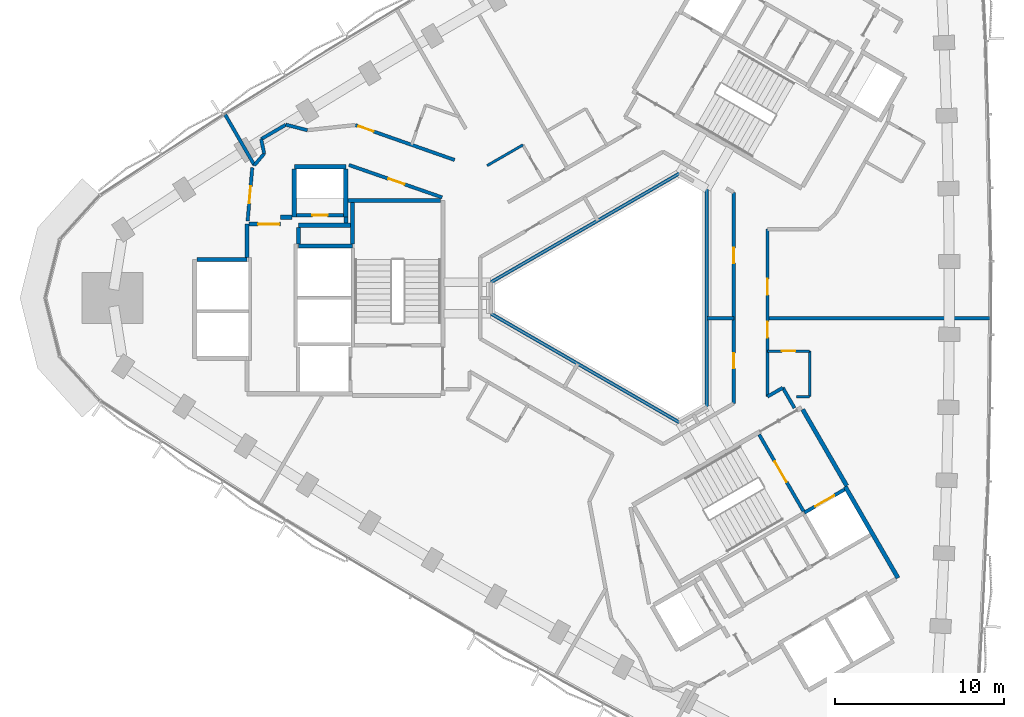
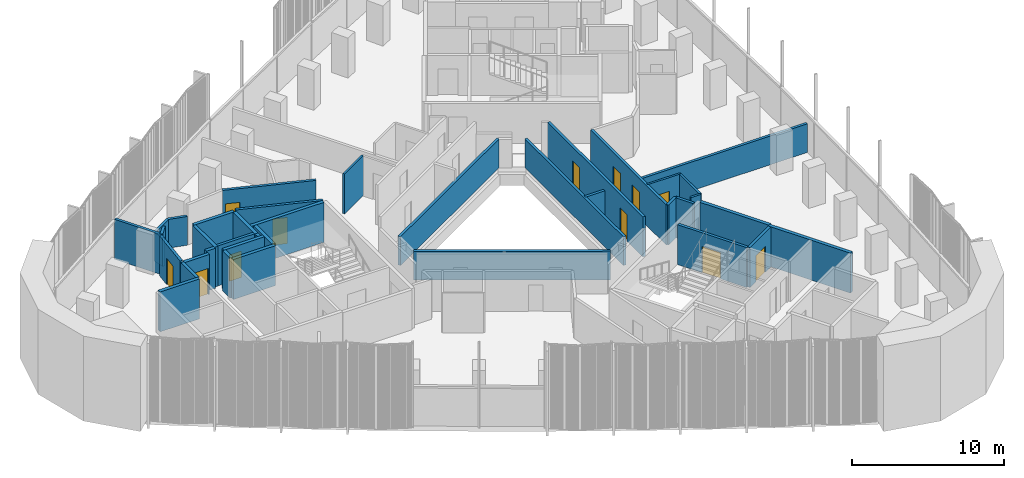
# One storey, part 9 of 14: 39 walls, 12 doors, 12 openings.
"""IFC4 building model written with IfcOpenShell, lengths in metres."""

from ifc_helpers import new_model, si_unit, direction, frame, frame_2d, origin, place, context, subcontext, project, spatial, rectangle, extrude, material, layer, layer_set, type_object, element, fill, save


model = new_model("IFC4")

# Units and contexts
model_context = context("Model", 3, precision=1e-05, world=origin(), true_north=direction((0.0, 1.0)))
body_context = subcontext(model_context, "Body", "Model", "MODEL_VIEW")
ifc_project = project(units=[si_unit("LENGTHUNIT", "METRE"), si_unit("AREAUNIT", "SQUARE_METRE"), si_unit("VOLUMEUNIT", "CUBIC_METRE"), si_unit("PLANEANGLEUNIT", "RADIAN"), si_unit("MASSUNIT", "GRAM", prefix="KILO")], contexts=[model_context])

# Site, building, storey
site_placement = place(None, origin())
site = spatial("IfcSite", under=ifc_project, at=site_placement, CompositionType="ELEMENT")
building_placement = place(site_placement, origin())
building = spatial("IfcBuilding", under=site, at=building_placement, Name="Tamra Quay Hotel Tower", CompositionType="ELEMENT")
storey_placement = place(building_placement, frame((0.0, 0.0, 150.39990234375)))
storey = spatial("IfcBuildingStorey", under=building, at=storey_placement, Name="L37", CompositionType="ELEMENT", Elevation=150.39990234375)

# Wall, opening, door
ifc_material_1 = material(Name="Concrete M70", Category="concrete")
ifc_layer_1 = layer(ifc_material_1, 0.199951171875)
ifc_layer_set_1 = layer_set([ifc_layer_1], Name="Concrete M70 core wall 200")
wall_type_1 = type_object("IfcWallType", Name="Concrete M70 core wall 200", PredefinedType="SHEAR", material=ifc_layer_set_1)
wall_1_placement = place(storey_placement, frame((-19.51123046875, 4.91015625, 0.0), z_axis=(0.0, 0.0, 1.0), x_axis=(1.0, 0.0, 0.0)))
wall_1 = element("IfcWall", 1, at=wall_1_placement, inside=storey, type_object=wall_type_1, Name="CW2", PredefinedType="SHEAR", context=body_context, shape_type="SweptSolid", body=[
    extrude(rectangle(XDim=2.7978515625, YDim=0.199951171875, at=frame_2d((1.39892578125, 0.0))), origin(), (0.0, 0.0, 1.0), 3.2001953125),
])
opening_1_placement = place(wall_1_placement, frame((0.948974609375, 0.0, 0.0)))
opening_1 = element("IfcOpeningElement", 2, at=opening_1_placement, cuts=wall_1, Name="Opening D1", PredefinedType="OPENING", context=body_context, shape_type="SweptSolid", body=[
    extrude(rectangle(XDim=0.89990234375, YDim=2.10009765625, at=frame_2d((0.449951171875, 1.050048828125))), frame((0.0, 0.10986328125, 0.0), z_axis=(0.0, -1.0, 0.0), x_axis=(1.0, 0.0, 0.0)), (0.0, 0.0, 1.0), 0.219970703125),
])
ifc_material_2 = material(Name="Core door D1 900x2100 RH")
door_type_1 = type_object("IfcDoorType", Name="Core door D1 900x2100 RH", OperationType="NOTDEFINED", PredefinedType="DOOR", material=ifc_material_2)
door_1_placement = place(opening_1_placement, origin())
door_1 = element("IfcDoor", 3, at=door_1_placement, inside=storey, type_object=door_type_1, Name="D1", OperationType="SINGLE_SWING_RIGHT", OverallHeight=2.10009765625, OverallWidth=0.89990234375, PredefinedType="DOOR", context=body_context, shape_type="SweptSolid", body=[
    extrude(rectangle(XDim=0.89990234375, YDim=2.10009765625, at=frame_2d((0.449951171875, 1.050048828125))), frame((0.0, 0.02490234375, 0.0), z_axis=(0.0, -1.0, 0.0), x_axis=(1.0, 0.0, 0.0)), (0.0, 0.0, 1.0), 0.050048828125),
])
fill(opening_1, door_1)

wall_2_placement = place(storey_placement, frame((7.906494140625, -8.094482421875, 0.0), z_axis=(0.0, 0.0, 1.0), x_axis=(0.500024287448, -0.866011380966, 0.0)))
wall_2 = element("IfcWall", 4, at=wall_2_placement, inside=storey, type_object=wall_type_1, Name="CW2", PredefinedType="SHEAR", context=body_context, shape_type="SweptSolid", body=[
    extrude(rectangle(XDim=5.251220703125, YDim=0.199951171875, at=frame_2d((2.62548828125, 0.0))), origin(), (0.0, 0.0, 1.0), 3.2001953125),
])
opening_2_placement = place(wall_2_placement, frame((1.84912109375, 0.0, 0.0)))
opening_2 = element("IfcOpeningElement", 5, at=opening_2_placement, cuts=wall_2, Name="Opening FD2", PredefinedType="OPENING", context=body_context, shape_type="SweptSolid", body=[
    extrude(rectangle(XDim=1.39990234375, YDim=2.10009765625, at=frame_2d((0.699951171875, 1.050048828125))), frame((0.0, 0.10986328125, 0.0), z_axis=(0.0, -1.0, 0.0), x_axis=(1.0, 0.0, 0.0)), (0.0, 0.0, 1.0), 0.219970703125),
])
ifc_material_3 = material(Name="Core door FD2 1400x2100 RH")
door_type_2 = type_object("IfcDoorType", Name="Core door FD2 1400x2100 RH", OperationType="NOTDEFINED", PredefinedType="DOOR", material=ifc_material_3)
door_2_placement = place(opening_2_placement, origin())
door_2 = element("IfcDoor", 6, at=door_2_placement, inside=storey, type_object=door_type_2, Name="FD2", OperationType="SINGLE_SWING_RIGHT", OverallHeight=2.10009765625, OverallWidth=1.39990234375, PredefinedType="DOOR", context=body_context, shape_type="SweptSolid", body=[
    extrude(rectangle(XDim=1.39990234375, YDim=2.10009765625, at=frame_2d((0.699951171875, 1.050048828125))), frame((0.0, 0.02490234375, 0.0), z_axis=(0.0, -1.0, 0.0), x_axis=(1.0, 0.0, 0.0)), (0.0, 0.0, 1.0), 0.050048828125),
])
fill(opening_2, door_2)

wall_3_placement = place(storey_placement, frame((10.587158203125, -12.72314453125, 0.0), z_axis=(0.0, 0.0, 1.0), x_axis=(0.866037306777, 0.499979382845, 0.0)))
wall_3 = element("IfcWall", 7, at=wall_3_placement, inside=storey, type_object=wall_type_1, Name="CW2", PredefinedType="SHEAR", context=body_context, shape_type="SweptSolid", body=[
    extrude(rectangle(XDim=2.74169921875, YDim=0.199951171875, at=frame_2d((1.370849609375, 0.0))), origin(), (0.0, 0.0, 1.0), 3.2001953125),
])
opening_3_placement = place(wall_3_placement, frame((0.742919921875, 0.0, 0.0)))
opening_3 = element("IfcOpeningElement", 8, at=opening_3_placement, cuts=wall_3, Name="Opening LD", PredefinedType="OPENING", context=body_context, shape_type="SweptSolid", body=[
    extrude(rectangle(XDim=1.300048828125, YDim=2.10009765625, at=frame_2d((0.64990234375, 1.050048828125))), frame((0.0, 0.10986328125, 0.0), z_axis=(0.0, -1.0, 0.0), x_axis=(1.0, 0.0, 0.0)), (0.0, 0.0, 1.0), 0.219970703125),
])
ifc_material_4 = material(Name="Landing door LD 1300 sliding to right")
door_type_3 = type_object("IfcDoorType", Name="Landing door LD 1300 sliding to right", OperationType="NOTDEFINED", PredefinedType="DOOR", material=ifc_material_4)
door_3_placement = place(opening_3_placement, origin())
door_3 = element("IfcDoor", 9, at=door_3_placement, inside=storey, type_object=door_type_3, Name="LD", OperationType="SLIDING_TO_RIGHT", OverallHeight=2.10009765625, OverallWidth=1.300048828125, PredefinedType="DOOR", context=body_context, shape_type="SweptSolid", body=[
    extrude(rectangle(XDim=1.300048828125, YDim=2.10009765625, at=frame_2d((0.64990234375, 1.050048828125))), frame((0.0, 0.02490234375, 0.0), z_axis=(0.0, -1.0, 0.0), x_axis=(1.0, 0.0, 0.0)), (0.0, 0.0, 1.0), 0.050048828125),
])
fill(opening_3, door_3)

# Walls
ifc_layer_2 = layer(ifc_material_1, 0.25)
ifc_layer_set_2 = layer_set([ifc_layer_2], Name="Concrete M70 core wall 250")
wall_type_2 = type_object("IfcWallType", Name="Concrete M70 core wall 250", PredefinedType="SHEAR", material=ifc_layer_set_2)
wall_4_placement = place(storey_placement, frame((-16.47216796875, 5.77490234375, 0.0), z_axis=(0.0, 0.0, 1.0), x_axis=(1.0, 0.0, 0.0)))
element("IfcWall", 10, at=wall_4_placement, inside=storey, type_object=wall_type_2, Name="CW1", PredefinedType="SHEAR", context=body_context, shape_type="SweptSolid", body=[
    extrude(rectangle(XDim=5.509521484375, YDim=0.25, at=frame_2d((2.7548828125, 0.0))), origin(), (0.0, 0.0, 1.0), 3.2001953125),
])
wall_5_placement = place(storey_placement, frame((-19.38720703125, 3.074951171875, 0.0), z_axis=(0.0, 0.0, 1.0), x_axis=(1.0, 0.0, 0.0)))
element("IfcWall", 11, at=wall_5_placement, inside=storey, type_object=wall_type_2, Name="CW1", PredefinedType="SHEAR", context=body_context, shape_type="SweptSolid", body=[
    extrude(rectangle(XDim=3.199951171875, YDim=0.25, at=frame_2d((1.60009765625, 0.0))), origin(), (0.0, 0.0, 1.0), 3.2001953125),
])
wall_6_placement = place(storey_placement, frame((-25.411865234375, 2.27490234375, 0.0), z_axis=(0.0, 0.0, 1.0), x_axis=(1.0, 0.0, 0.0)))
element("IfcWall", 12, at=wall_6_placement, inside=storey, type_object=wall_type_2, Name="CW1", PredefinedType="SHEAR", context=body_context, shape_type="SweptSolid", body=[
    extrude(rectangle(XDim=2.974609375, YDim=0.25, at=frame_2d((1.4873046875, 0.0))), origin(), (0.0, 0.0, 1.0), 3.2001953125),
])
wall_7_placement = place(storey_placement, frame((-19.63720703125, 7.77490234375, 0.0), z_axis=(0.0, 0.0, 1.0), x_axis=(1.0, 0.0, 0.0)))
element("IfcWall", 13, at=wall_7_placement, inside=storey, type_object=wall_type_2, Name="CW1", PredefinedType="SHEAR", context=body_context, shape_type="SweptSolid", body=[
    extrude(rectangle(XDim=3.0498046875, YDim=0.25, at=frame_2d((1.52490234375, 0.0))), origin(), (0.0, 0.0, 1.0), 3.2001953125),
])
for number, where, z_axis, x_axis, name in (
    (14, (-16.58740234375, 7.649658203125, 0.0), (0.0, 0.0, 1.0), (0.0, -1.0, 0.0), "CW1"),
    (15, (-19.63720703125, 4.784912109375, 0.0), (0.0, 0.0, 1.0), (0.0, 1.0, 0.0), "CW1"),
):
    element("IfcWall", number, at=place(storey_placement, frame(where, z_axis=z_axis, x_axis=x_axis)), inside=storey, type_object=wall_type_2, Name=name, PredefinedType="SHEAR", context=body_context, shape_type="SweptSolid", body=[
        extrude(rectangle(XDim=2.86474609375, YDim=0.25, at=frame_2d((1.432373046875, 0.0))), origin(), (0.0, 0.0, 1.0), 3.2001953125),
    ])
wall_8_placement = place(storey_placement, frame((-16.30224609375, 4.31494140625, 0.0), z_axis=(0.0, 0.0, 1.0), x_axis=(-1.0, 0.0, 0.0)))
element("IfcWall", 16, at=wall_8_placement, inside=storey, type_object=wall_type_2, Name="CW1", PredefinedType="SHEAR", context=body_context, shape_type="SweptSolid", body=[
    extrude(rectangle(XDim=3.0849609375, YDim=0.25, at=frame_2d((1.54248046875, 0.0))), origin(), (0.0, 0.0, 1.0), 3.2001953125),
])
wall_9_placement = place(storey_placement, frame((-16.187255859375, 3.200439453125, 0.0), z_axis=(0.0, 0.0, 1.0), x_axis=(0.0, 1.0, 0.0)))
element("IfcWall", 17, at=wall_9_placement, inside=storey, type_object=wall_type_2, Name="CW1", PredefinedType="SHEAR", context=body_context, shape_type="SweptSolid", body=[
    extrude(rectangle(XDim=2.44921875, YDim=0.25, at=frame_2d((1.224609375, 0.0))), origin(), (0.0, 0.0, 1.0), 3.2001953125),
])
wall_10_placement = place(storey_placement, frame((-22.437255859375, 2.400390625, 0.0), z_axis=(0.0, 0.0, 1.0), x_axis=(0.0, 1.0, 0.0)))
element("IfcWall", 18, at=wall_10_placement, inside=storey, type_object=wall_type_2, Name="CW1", PredefinedType="SHEAR", context=body_context, shape_type="SweptSolid", body=[
    extrude(rectangle(XDim=1.974609375, YDim=0.25, at=frame_2d((0.9873046875, 0.0))), origin(), (0.0, 0.0, 1.0), 3.2001953125),
])

# Wall, opening, door
wall_11_placement = place(storey_placement, frame((-22.311767578125, 4.375, 0.0), z_axis=(0.0, 0.0, 1.0), x_axis=(1.0, 0.0, 0.0)))
wall_11 = element("IfcWall", 19, at=wall_11_placement, inside=storey, type_object=wall_type_2, Name="CW1", PredefinedType="SHEAR", context=body_context, shape_type="SweptSolid", body=[
    extrude(rectangle(XDim=1.864501953125, YDim=0.25, at=frame_2d((0.93212890625, 0.0))), origin(), (0.0, 0.0, 1.0), 3.2001953125),
])
opening_4_placement = place(wall_11_placement, frame((0.53466796875, 0.0, 0.0)))
opening_4 = element("IfcOpeningElement", 20, at=opening_4_placement, cuts=wall_11, Name="Opening FD3", PredefinedType="OPENING", context=body_context, shape_type="SweptSolid", body=[
    extrude(rectangle(XDim=1.25, YDim=2.10009765625, at=frame_2d((0.625, 1.050048828125))), frame((0.0, 0.135009765625, 0.0), z_axis=(0.0, -1.0, 0.0), x_axis=(1.0, 0.0, 0.0)), (0.0, 0.0, 1.0), 0.27001953125),
])
ifc_material_5 = material(Name="Core door FD3 1250x2100 LH")
door_type_4 = type_object("IfcDoorType", Name="Core door FD3 1250x2100 LH", OperationType="NOTDEFINED", PredefinedType="DOOR", material=ifc_material_5)
door_4_placement = place(opening_4_placement, origin())
door_4 = element("IfcDoor", 21, at=door_4_placement, inside=storey, type_object=door_type_4, Name="FD3", OperationType="SINGLE_SWING_LEFT", OverallHeight=2.10009765625, OverallWidth=1.25, PredefinedType="DOOR", context=body_context, shape_type="SweptSolid", body=[
    extrude(rectangle(XDim=1.25, YDim=2.10009765625, at=frame_2d((0.625, 1.050048828125))), frame((0.0, 0.02490234375, 0.0), z_axis=(0.0, -1.0, 0.0), x_axis=(1.0, 0.0, 0.0)), (0.0, 0.0, 1.0), 0.050048828125),
])
fill(opening_4, door_4)

# Walls
wall_12_placement = place(storey_placement, frame((-19.38720703125, 4.189697265625, 0.0), z_axis=(0.0, 0.0, 1.0), x_axis=(0.0, -1.0, 0.0)))
element("IfcWall", 22, at=wall_12_placement, inside=storey, type_object=wall_type_2, Name="CW1", PredefinedType="SHEAR", context=body_context, shape_type="SweptSolid", body=[
    extrude(rectangle(XDim=0.9892578125, YDim=0.25, at=frame_2d((0.49462890625, 0.0))), origin(), (0.0, 0.0, 1.0), 3.2001953125),
])
wall_13_placement = place(storey_placement, frame((-20.447265625, 4.784912109375, 0.0), z_axis=(0.0, 0.0, 1.0), x_axis=(1.0, 0.0, 0.0)))
element("IfcWall", 23, at=wall_13_placement, inside=storey, type_object=wall_type_2, Name="CW1", PredefinedType="SHEAR", context=body_context, shape_type="SweptSolid", body=[
    extrude(rectangle(XDim=0.6845703125, YDim=0.25, at=frame_2d((0.34228515625, 0.0))), origin(), (0.0, 0.0, 1.0), 3.2001953125),
])
wall_14_placement = place(storey_placement, frame((-16.577392578125, 4.784912109375, 0.0), z_axis=(0.0, 0.0, 1.0), x_axis=(0.0, -1.0, 0.0)))
element("IfcWall", 24, at=wall_14_placement, inside=storey, type_object=wall_type_2, Name="CW1", PredefinedType="SHEAR", context=body_context, shape_type="SweptSolid", body=[
    extrude(rectangle(XDim=0.344482421875, YDim=0.25, at=frame_2d((0.17236328125, 0.0))), origin(), (0.0, 0.0, 1.0), 3.2001953125),
])
wall_15_placement = place(storey_placement, frame((13.00830078125, -11.18115234375, 0.0), z_axis=(0.0, 0.0, 1.0), x_axis=(0.500004234368, -0.866022959057, 0.0)))
element("IfcWall", 25, at=wall_15_placement, inside=storey, type_object=wall_type_2, Name="CW1", PredefinedType="SHEAR", context=body_context, shape_type="SweptSolid", body=[
    extrude(rectangle(XDim=6.25, YDim=0.25, at=frame_2d((3.125, 0.0))), origin(), (0.0, 0.0, 1.0), 3.2001953125),
])
wall_16_placement = place(storey_placement, frame((10.482666015625, -6.6064453125, 0.0), z_axis=(0.0, 0.0, 1.0), x_axis=(0.49999885962, -0.866026062182, 0.0)))
element("IfcWall", 26, at=wall_16_placement, inside=storey, type_object=wall_type_2, Name="CW1", PredefinedType="SHEAR", context=body_context, shape_type="SweptSolid", body=[
    extrude(rectangle(XDim=5.224609375, YDim=0.25, at=frame_2d((2.6123046875, 0.0))), origin(), (0.0, 0.0, 1.0), 3.2001953125),
])

# Wall, opening, door
ifc_material_6 = material(Name="Partition corridor wall")
ifc_layer_3 = layer(ifc_material_6, 0.199951171875)
ifc_layer_set_3 = layer_set([ifc_layer_3], Name="Partition corridor wall")
wall_type_3 = type_object("IfcWallType", Name="Partition corridor wall", PredefinedType="PARTITIONING", material=ifc_layer_set_3)
wall_17_placement = place(storey_placement, frame((-22.40673828125, 4.56005859375, 0.0), z_axis=(0.0, 0.0, 1.0), x_axis=(0.086898645684, 0.996217157741, 0.0)))
wall_17 = element("IfcWall", 27, at=wall_17_placement, inside=storey, type_object=wall_type_3, Name="W-C", PredefinedType="PARTITIONING", context=body_context, shape_type="SweptSolid", body=[
    extrude(rectangle(XDim=3.171875, YDim=0.199951171875, at=frame_2d((1.5859375, 0.0))), origin(), (0.0, 0.0, 1.0), 3.2001953125),
])
opening_5_placement = place(wall_17_placement, frame((1.055908203125, 0.0, 0.0)))
opening_5 = element("IfcOpeningElement", 28, at=opening_5_placement, cuts=wall_17, Name="Opening L37-D012", PredefinedType="OPENING", context=body_context, shape_type="SweptSolid", body=[
    extrude(rectangle(XDim=1.0, YDim=2.10009765625, at=frame_2d((0.5, 1.050048828125))), frame((0.0, 0.10986328125, 0.0), z_axis=(0.0, -1.0, 0.0), x_axis=(1.0, 0.0, 0.0)), (0.0, 0.0, 1.0), 0.219970703125),
])
ifc_material_7 = material(Name="Door guest room 1000x2100")
door_type_5 = type_object("IfcDoorType", Name="Door guest room 1000x2100", OperationType="NOTDEFINED", PredefinedType="DOOR", material=ifc_material_7)
door_5_placement = place(opening_5_placement, origin())
door_5 = element("IfcDoor", 29, at=door_5_placement, inside=storey, type_object=door_type_5, Name="L37-D012", OperationType="SINGLE_SWING_LEFT", OverallHeight=2.10009765625, OverallWidth=1.0, PredefinedType="DOOR", context=body_context, shape_type="SweptSolid", body=[
    extrude(rectangle(XDim=1.0, YDim=2.10009765625, at=frame_2d((0.5, 1.050048828125))), frame((0.0, 0.02490234375, 0.0), z_axis=(0.0, -1.0, 0.0), x_axis=(1.0, 0.0, 0.0)), (0.0, 0.0, 1.0), 0.050048828125),
])
fill(opening_5, door_5)

# Walls
wall_18_placement = place(storey_placement, frame((-22.012939453125, 7.85791015625, 0.0), z_axis=(0.0, 0.0, 1.0), x_axis=(0.646315152402, 0.763070588986, 0.0)))
element("IfcWall", 30, at=wall_18_placement, inside=storey, type_object=wall_type_3, Name="W-C", PredefinedType="PARTITIONING", context=body_context, shape_type="SweptSolid", body=[
    extrude(rectangle(XDim=0.90966796875, YDim=0.199951171875, at=frame_2d((0.454833984375, 0.0))), origin(), (0.0, 0.0, 1.0), 3.2001953125),
])
wall_19_placement = place(storey_placement, frame((-21.60498046875, 9.412109375, 0.0), z_axis=(0.0, 0.0, 1.0), x_axis=(0.204764111512, -0.978811349871, 0.0)))
element("IfcWall", 31, at=wall_19_placement, inside=storey, type_object=wall_type_3, Name="W-C", PredefinedType="PARTITIONING", context=body_context, shape_type="SweptSolid", body=[
    extrude(rectangle(XDim=0.878662109375, YDim=0.199951171875, at=frame_2d((0.439453125, 0.0))), origin(), (0.0, 0.0, 1.0), 2.300048828125),
])
wall_20_placement = place(storey_placement, frame((-21.60400390625, 9.4130859375, 0.0), z_axis=(0.0, 0.0, 1.0), x_axis=(0.863736988548, 0.503942868402, 0.0)))
element("IfcWall", 32, at=wall_20_placement, inside=storey, type_object=wall_type_3, Name="W-C", PredefinedType="PARTITIONING", context=body_context, shape_type="SweptSolid", body=[
    extrude(rectangle(XDim=1.690185546875, YDim=0.199951171875, at=frame_2d((0.84521484375, 0.0))), origin(), (0.0, 0.0, 1.0), 2.300048828125),
])
wall_21_placement = place(storey_placement, frame((-20.14306640625, 10.26611328125, 0.0), z_axis=(0.0, 0.0, 1.0), x_axis=(0.969121308325, -0.246584447505, 0.0)))
element("IfcWall", 33, at=wall_21_placement, inside=storey, type_object=wall_type_3, Name="W-C", PredefinedType="PARTITIONING", context=body_context, shape_type="SweptSolid", body=[
    extrude(rectangle(XDim=1.31884765625, YDim=0.199951171875, at=frame_2d((0.659423828125, 0.0))), origin(), (0.0, 0.0, 1.0), 2.300048828125),
])

# Wall, opening, door
wall_22_placement = place(storey_placement, frame((-16.40234375, 7.879150390625, 0.0), z_axis=(0.0, 0.0, 1.0), x_axis=(0.94449961557, -0.328512520596, 0.0)))
wall_22 = element("IfcWall", 34, at=wall_22_placement, inside=storey, type_object=wall_type_3, Name="W-C", PredefinedType="PARTITIONING", context=body_context, shape_type="SweptSolid", body=[
    extrude(rectangle(XDim=5.842041015625, YDim=0.199951171875, at=frame_2d((2.9208984375, 0.0))), origin(), (0.0, 0.0, 1.0), 3.2001953125),
])
opening_6_placement = place(wall_22_placement, frame((2.47900390625, 0.0, 0.0)))
opening_6 = element("IfcOpeningElement", 35, at=opening_6_placement, cuts=wall_22, Name="Opening L37-D009", PredefinedType="OPENING", context=body_context, shape_type="SweptSolid", body=[
    extrude(rectangle(XDim=1.0, YDim=2.10009765625, at=frame_2d((0.5, 1.050048828125))), frame((0.0, 0.10986328125, 0.0), z_axis=(0.0, -1.0, 0.0), x_axis=(1.0, 0.0, 0.0)), (0.0, 0.0, 1.0), 0.219970703125),
])
door_6_placement = place(opening_6_placement, frame((1.0, 0.0, 0.0), z_axis=(0.0, 0.0, 1.0), x_axis=(-1.0, 0.0, 0.0)))
door_6 = element("IfcDoor", 36, at=door_6_placement, inside=storey, type_object=door_type_5, Name="L37-D009", OperationType="SINGLE_SWING_LEFT", OverallHeight=2.10009765625, OverallWidth=1.0, PredefinedType="DOOR", context=body_context, shape_type="SweptSolid", body=[
    extrude(rectangle(XDim=1.0, YDim=2.10009765625, at=frame_2d((0.5, 1.050048828125))), frame((0.0, 0.02490234375, 0.0), z_axis=(0.0, -1.0, 0.0), x_axis=(1.0, 0.0, 0.0)), (0.0, 0.0, 1.0), 0.050048828125),
])
fill(opening_6, door_6)

wall_23_placement = place(storey_placement, frame((-16.02587890625, 10.24609375, 0.0), z_axis=(0.0, 0.0, 1.0), x_axis=(0.943337348352, -0.331835271187, 0.0)))
wall_23 = element("IfcWall", 37, at=wall_23_placement, inside=storey, type_object=wall_type_3, Name="W-C", PredefinedType="PARTITIONING", context=body_context, shape_type="SweptSolid", body=[
    extrude(rectangle(XDim=6.23828125, YDim=0.199951171875, at=frame_2d((3.119140625, 0.0))), origin(), (0.0, 0.0, 1.0), 3.2001953125),
])
opening_7_placement = place(wall_23_placement, frame((0.199951171875, 0.0, 0.0)))
opening_7 = element("IfcOpeningElement", 38, at=opening_7_placement, cuts=wall_23, Name="Opening L37-D010", PredefinedType="OPENING", context=body_context, shape_type="SweptSolid", body=[
    extrude(rectangle(XDim=0.949951171875, YDim=2.10009765625, at=frame_2d((0.47509765625, 1.050048828125))), frame((0.0, 0.10986328125, 0.0), z_axis=(0.0, -1.0, 0.0), x_axis=(1.0, 0.0, 0.0)), (0.0, 0.0, 1.0), 0.219970703125),
])
ifc_material_8 = material(Name="Door guest room 950x2100")
door_type_6 = type_object("IfcDoorType", Name="Door guest room 950x2100", OperationType="NOTDEFINED", PredefinedType="DOOR", material=ifc_material_8)
door_7_placement = place(opening_7_placement, origin())
door_7 = element("IfcDoor", 39, at=door_7_placement, inside=storey, type_object=door_type_6, Name="L37-D010", OperationType="SINGLE_SWING_LEFT", OverallHeight=2.10009765625, OverallWidth=0.949951171875, PredefinedType="DOOR", context=body_context, shape_type="SweptSolid", body=[
    extrude(rectangle(XDim=0.949951171875, YDim=2.10009765625, at=frame_2d((0.47509765625, 1.050048828125))), frame((0.0, 0.02490234375, 0.0), z_axis=(0.0, -1.0, 0.0), x_axis=(1.0, 0.0, 0.0)), (0.0, 0.0, 1.0), 0.050048828125),
])
fill(opening_7, door_7)

# Wall, openings, doors
wall_24_placement = place(storey_placement, frame((6.39990234375, -6.25, 0.0), z_axis=(0.0, 0.0, 1.0), x_axis=(0.0, 1.0, 0.0)))
wall_24 = element("IfcWall", 40, at=wall_24_placement, inside=storey, type_object=wall_type_3, Name="W-C", PredefinedType="PARTITIONING", context=body_context, shape_type="SweptSolid", body=[
    extrude(rectangle(XDim=12.5, YDim=0.199951171875, at=frame_2d((6.25, 0.0))), origin(), (0.0, 0.0, 1.0), 3.2001953125),
])
opening_8_placement = place(wall_24_placement, frame((2.077392578125, 0.0, 0.0)))
opening_8 = element("IfcOpeningElement", 41, at=opening_8_placement, cuts=wall_24, Name="Opening L37-D018", PredefinedType="OPENING", context=body_context, shape_type="SweptSolid", body=[
    extrude(rectangle(XDim=0.89990234375, YDim=2.10009765625, at=frame_2d((0.449951171875, 1.050048828125))), frame((0.0, 0.10986328125, 0.0), z_axis=(0.0, -1.0, 0.0), x_axis=(1.0, 0.0, 0.0)), (0.0, 0.0, 1.0), 0.219970703125),
])
opening_9_placement = place(wall_24_placement, frame((8.3154296875, 0.0, 0.0)))
opening_9 = element("IfcOpeningElement", 42, at=opening_9_placement, cuts=wall_24, Name="Opening L37-D019", PredefinedType="OPENING", context=body_context, shape_type="SweptSolid", body=[
    extrude(rectangle(XDim=0.89990234375, YDim=2.10009765625, at=frame_2d((0.449951171875, 1.050048828125))), frame((0.0, 0.10986328125, 0.0), z_axis=(0.0, -1.0, 0.0), x_axis=(1.0, 0.0, 0.0)), (0.0, 0.0, 1.0), 0.219970703125),
])
ifc_material_9 = material(Name="Door service room 900x2100")
door_type_7 = type_object("IfcDoorType", Name="Door service room 900x2100", OperationType="NOTDEFINED", PredefinedType="DOOR", material=ifc_material_9)
door_8_placement = place(opening_8_placement, origin())
door_8 = element("IfcDoor", 43, at=door_8_placement, inside=storey, type_object=door_type_7, Name="L37-D018", OperationType="SINGLE_SWING_LEFT", OverallHeight=2.10009765625, OverallWidth=0.89990234375, PredefinedType="DOOR", context=body_context, shape_type="SweptSolid", body=[
    extrude(rectangle(XDim=0.89990234375, YDim=2.10009765625, at=frame_2d((0.449951171875, 1.050048828125))), frame((0.0, 0.02490234375, 0.0), z_axis=(0.0, -1.0, 0.0), x_axis=(1.0, 0.0, 0.0)), (0.0, 0.0, 1.0), 0.050048828125),
])
fill(opening_8, door_8)
door_9_placement = place(opening_9_placement, origin())
door_9 = element("IfcDoor", 44, at=door_9_placement, inside=storey, type_object=door_type_7, Name="L37-D019", OperationType="SINGLE_SWING_LEFT", OverallHeight=2.10009765625, OverallWidth=0.89990234375, PredefinedType="DOOR", context=body_context, shape_type="SweptSolid", body=[
    extrude(rectangle(XDim=0.89990234375, YDim=2.10009765625, at=frame_2d((0.449951171875, 1.050048828125))), frame((0.0, 0.02490234375, 0.0), z_axis=(0.0, -1.0, 0.0), x_axis=(1.0, 0.0, 0.0)), (0.0, 0.0, 1.0), 0.050048828125),
])
fill(opening_9, door_9)

wall_25_placement = place(storey_placement, frame((8.39990234375, -5.844970703125, 0.0), z_axis=(0.0, 0.0, 1.0), x_axis=(0.0, 1.0, 0.0)))
wall_25 = element("IfcWall", 45, at=wall_25_placement, inside=storey, type_object=wall_type_3, Name="W-C", PredefinedType="PARTITIONING", context=body_context, shape_type="SweptSolid", body=[
    extrude(rectangle(XDim=9.9228515625, YDim=0.199951171875, at=frame_2d((4.96142578125, 0.0))), origin(), (0.0, 0.0, 1.0), 3.2001953125),
])
opening_10_placement = place(wall_25_placement, frame((3.5, 0.0, 0.0)))
opening_10 = element("IfcOpeningElement", 46, at=opening_10_placement, cuts=wall_25, Name="Opening L37-D001", PredefinedType="OPENING", context=body_context, shape_type="SweptSolid", body=[
    extrude(rectangle(XDim=0.949951171875, YDim=2.10009765625, at=frame_2d((0.47509765625, 1.050048828125))), frame((0.0, 0.10986328125, 0.0), z_axis=(0.0, -1.0, 0.0), x_axis=(1.0, 0.0, 0.0)), (0.0, 0.0, 1.0), 0.219970703125),
])
opening_11_placement = place(wall_25_placement, frame((6.02294921875, 0.0, 0.0)))
opening_11 = element("IfcOpeningElement", 47, at=opening_11_placement, cuts=wall_25, Name="Opening L37-D003", PredefinedType="OPENING", context=body_context, shape_type="SweptSolid", body=[
    extrude(rectangle(XDim=0.949951171875, YDim=2.10009765625, at=frame_2d((0.47509765625, 1.050048828125))), frame((0.0, 0.10986328125, 0.0), z_axis=(0.0, -1.0, 0.0), x_axis=(1.0, 0.0, 0.0)), (0.0, 0.0, 1.0), 0.219970703125),
])
door_10_placement = place(opening_10_placement, frame((0.949951171875, 0.0, 0.0), z_axis=(0.0, 0.0, 1.0), x_axis=(-1.0, 0.0, 0.0)))
door_10 = element("IfcDoor", 48, at=door_10_placement, inside=storey, type_object=door_type_6, Name="L37-D001", OperationType="SINGLE_SWING_LEFT", OverallHeight=2.10009765625, OverallWidth=0.949951171875, PredefinedType="DOOR", context=body_context, shape_type="SweptSolid", body=[
    extrude(rectangle(XDim=0.949951171875, YDim=2.10009765625, at=frame_2d((0.47509765625, 1.050048828125))), frame((0.0, 0.02490234375, 0.0), z_axis=(0.0, -1.0, 0.0), x_axis=(1.0, 0.0, 0.0)), (0.0, 0.0, 1.0), 0.050048828125),
])
fill(opening_10, door_10)
door_11_placement = place(opening_11_placement, frame((0.949951171875, 0.0, 0.0), z_axis=(0.0, 0.0, 1.0), x_axis=(-1.0, 0.0, 0.0)))
door_11 = element("IfcDoor", 49, at=door_11_placement, inside=storey, type_object=door_type_6, Name="L37-D003", OperationType="SINGLE_SWING_LEFT", OverallHeight=2.10009765625, OverallWidth=0.949951171875, PredefinedType="DOOR", context=body_context, shape_type="SweptSolid", body=[
    extrude(rectangle(XDim=0.949951171875, YDim=2.10009765625, at=frame_2d((0.47509765625, 1.050048828125))), frame((0.0, 0.02490234375, 0.0), z_axis=(0.0, -1.0, 0.0), x_axis=(1.0, 0.0, 0.0)), (0.0, 0.0, 1.0), 0.050048828125),
])
fill(opening_11, door_11)

# Walls
wall_26_placement = place(storey_placement, frame((8.39990234375, -5.844970703125, 0.0), z_axis=(0.0, 0.0, 1.0), x_axis=(0.866313671633, 0.499500372715, 0.0)))
element("IfcWall", 50, at=wall_26_placement, inside=storey, type_object=wall_type_3, Name="W-C", PredefinedType="PARTITIONING", context=body_context, shape_type="SweptSolid", body=[
    extrude(rectangle(XDim=1.046875, YDim=0.199951171875, at=frame_2d((0.5234375, 0.0))), origin(), (0.0, 0.0, 1.0), 3.2001953125),
])
wall_27_placement = place(storey_placement, frame((9.307373046875, -5.32177734375, 0.0), z_axis=(0.0, 0.0, 1.0), x_axis=(0.499955621637, -0.866051024128, 0.0)))
element("IfcWall", 51, at=wall_27_placement, inside=storey, type_object=wall_type_3, Name="W-C", PredefinedType="PARTITIONING", context=body_context, shape_type="SweptSolid", body=[
    extrude(rectangle(XDim=1.389892578125, YDim=0.199951171875, at=frame_2d((0.69482421875, 0.0))), origin(), (0.0, 0.0, 1.0), 3.2001953125),
])
ifc_material_10 = material(Name="Partition en-suite wall")
ifc_layer_4 = layer(ifc_material_10, 0.14990234375)
ifc_layer_set_4 = layer_set([ifc_layer_4], Name="Partition en-suite wall")
wall_type_4 = type_object("IfcWallType", Name="Partition en-suite wall", PredefinedType="PARTITIONING", material=ifc_layer_set_4)
wall_28_placement = place(storey_placement, frame((-8.21484375, 7.8427734375, 0.0), z_axis=(0.0, 0.0, 1.0), x_axis=(0.865983065851, 0.500073324283, 0.0)))
element("IfcWall", 52, at=wall_28_placement, inside=storey, type_object=wall_type_4, Name="W-E", PredefinedType="PARTITIONING", context=body_context, shape_type="SweptSolid", body=[
    extrude(rectangle(XDim=2.449462890625, YDim=0.14990234375, at=frame_2d((1.224609375, 0.0))), origin(), (0.0, 0.0, 1.0), 3.2001953125),
])

# Wall, opening, door
wall_29_placement = place(storey_placement, frame((8.40087890625, -3.14501953125, 0.0), z_axis=(0.0, 0.0, 1.0), x_axis=(1.0, 0.0, 0.0)))
wall_29 = element("IfcWall", 53, at=wall_29_placement, inside=storey, type_object=wall_type_4, Name="W-E", PredefinedType="PARTITIONING", context=body_context, shape_type="SweptSolid", body=[
    extrude(rectangle(XDim=2.4970703125, YDim=0.14990234375, at=frame_2d((1.24853515625, 0.0))), origin(), (0.0, 0.0, 1.0), 3.2001953125),
])
opening_12_placement = place(wall_29_placement, frame((0.84912109375, 0.0, 0.0)))
opening_12 = element("IfcOpeningElement", 54, at=opening_12_placement, cuts=wall_29, Name="Opening L37-D002", PredefinedType="OPENING", context=body_context, shape_type="SweptSolid", body=[
    extrude(rectangle(XDim=0.800048828125, YDim=2.10009765625, at=frame_2d((0.39990234375, 1.050048828125))), frame((0.0, 0.0849609375, 0.0), z_axis=(0.0, -1.0, 0.0), x_axis=(1.0, 0.0, 0.0)), (0.0, 0.0, 1.0), 0.169921875),
])
ifc_material_11 = material(Name="Door en-suite 800x2100")
door_type_8 = type_object("IfcDoorType", Name="Door en-suite 800x2100", OperationType="NOTDEFINED", PredefinedType="DOOR", material=ifc_material_11)
door_12_placement = place(opening_12_placement, frame((0.800048828125, 0.0, 0.0), z_axis=(0.0, 0.0, 1.0), x_axis=(-1.0, 0.0, 0.0)))
door_12 = element("IfcDoor", 55, at=door_12_placement, inside=storey, type_object=door_type_8, Name="L37-D002", OperationType="SINGLE_SWING_LEFT", OverallHeight=2.10009765625, OverallWidth=0.800048828125, PredefinedType="DOOR", context=body_context, shape_type="SweptSolid", body=[
    extrude(rectangle(XDim=0.800048828125, YDim=2.10009765625, at=frame_2d((0.39990234375, 1.050048828125))), frame((0.0, 0.02490234375, 0.0), z_axis=(0.0, -1.0, 0.0), x_axis=(1.0, 0.0, 0.0)), (0.0, 0.0, 1.0), 0.050048828125),
])
fill(opening_12, door_12)

# Walls
wall_30_placement = place(storey_placement, frame((10.89794921875, -5.844970703125, 0.0), z_axis=(0.0, 0.0, 1.0), x_axis=(-1.0, 0.0, 0.0)))
element("IfcWall", 56, at=wall_30_placement, inside=storey, type_object=wall_type_4, Name="W-E", PredefinedType="PARTITIONING", context=body_context, shape_type="SweptSolid", body=[
    extrude(rectangle(XDim=0.768798828125, YDim=0.14990234375, at=frame_2d((0.38427734375, 0.0))), origin(), (0.0, 0.0, 1.0), 3.2001953125),
])
wall_31_placement = place(storey_placement, frame((10.89990234375, -5.843017578125, 0.0), z_axis=(0.0, 0.0, 1.0), x_axis=(0.0, 1.0, 0.0)))
element("IfcWall", 57, at=wall_31_placement, inside=storey, type_object=wall_type_4, Name="W-E", PredefinedType="PARTITIONING", context=body_context, shape_type="SweptSolid", body=[
    extrude(rectangle(XDim=2.696044921875, YDim=0.14990234375, at=frame_2d((1.34814453125, 0.0))), origin(), (0.0, 0.0, 1.0), 3.2001953125),
])
ifc_material_12 = material(Name="Partition party wall")
ifc_layer_5 = layer(ifc_material_12, 0.199951171875)
ifc_layer_set_5 = layer_set([ifc_layer_5], Name="Partition party wall")
wall_type_5 = type_object("IfcWallType", Name="Partition party wall", PredefinedType="PARTITIONING", material=ifc_layer_set_5)
wall_32_placement = place(storey_placement, frame((-23.757568359375, 10.899658203125, 0.0), z_axis=(0.0, 0.0, 1.0), x_axis=(0.500112665219, -0.865960346718, 0.0)))
element("IfcWall", 58, at=wall_32_placement, inside=storey, type_object=wall_type_5, Name="W-P", PredefinedType="PARTITIONING", context=body_context, shape_type="SweptSolid", body=[
    extrude(rectangle(XDim=3.502197265625, YDim=0.199951171875, at=frame_2d((1.7509765625, 0.0))), origin(), (0.0, 0.0, 1.0), 3.2001953125),
])
for number, where, z_axis, x_axis, name in (
    (59, (-8.00048828125, 0.9248046875, 0.0), (0.0, 0.0, 1.0), (0.866075250037, 0.499913653818, 0.0), "W-P"),
    (60, (-8.0, -0.924072265625, 0.0), (0.0, 0.0, 1.0), (0.866062358179, -0.499935987647, 0.0), "W-P"),
):
    element("IfcWall", number, at=place(storey_placement, frame(where, z_axis=z_axis, x_axis=x_axis)), inside=storey, type_object=wall_type_5, Name=name, PredefinedType="PARTITIONING", context=body_context, shape_type="SweptSolid", body=[
        extrude(rectangle(XDim=12.932373046875, YDim=0.199951171875, at=frame_2d((6.46630859375, 0.0))), origin(), (0.0, 0.0, 1.0), 2.300048828125),
    ])
wall_33_placement = place(storey_placement, frame((4.800048828125, -6.466064453125, 0.0), z_axis=(0.0, 0.0, 1.0), x_axis=(0.0, 1.0, 0.0)))
element("IfcWall", 61, at=wall_33_placement, inside=storey, type_object=wall_type_5, Name="W-P", PredefinedType="PARTITIONING", context=body_context, shape_type="SweptSolid", body=[
    extrude(rectangle(XDim=12.93212890625, YDim=0.199951171875, at=frame_2d((6.466064453125, 0.0))), origin(), (0.0, 0.0, 1.0), 2.300048828125),
])
wall_34_placement = place(storey_placement, frame((4.800048828125, -1.20703125, 0.0), z_axis=(0.0, 0.0, 1.0), x_axis=(1.0, 0.0, 0.0)))
element("IfcWall", 62, at=wall_34_placement, inside=storey, type_object=wall_type_5, Name="W-P", PredefinedType="PARTITIONING", context=body_context, shape_type="SweptSolid", body=[
    extrude(rectangle(XDim=1.599853515625, YDim=0.199951171875, at=frame_2d((0.7998046875, 0.0))), origin(), (0.0, 0.0, 1.0), 2.300048828125),
])
wall_35_placement = place(storey_placement, frame((8.40087890625, -1.20703125, 0.0), z_axis=(0.0, 0.0, 1.0), x_axis=(1.0, 0.0, 0.0)))
element("IfcWall", 63, at=wall_35_placement, inside=storey, type_object=wall_type_5, Name="W-P", PredefinedType="PARTITIONING", context=body_context, shape_type="SweptSolid", body=[
    extrude(rectangle(XDim=13.2255859375, YDim=0.199951171875, at=frame_2d((6.61279296875, 0.0))), origin(), (0.0, 0.0, 1.0), 2.300048828125),
])

save(model, "model.ifc")
